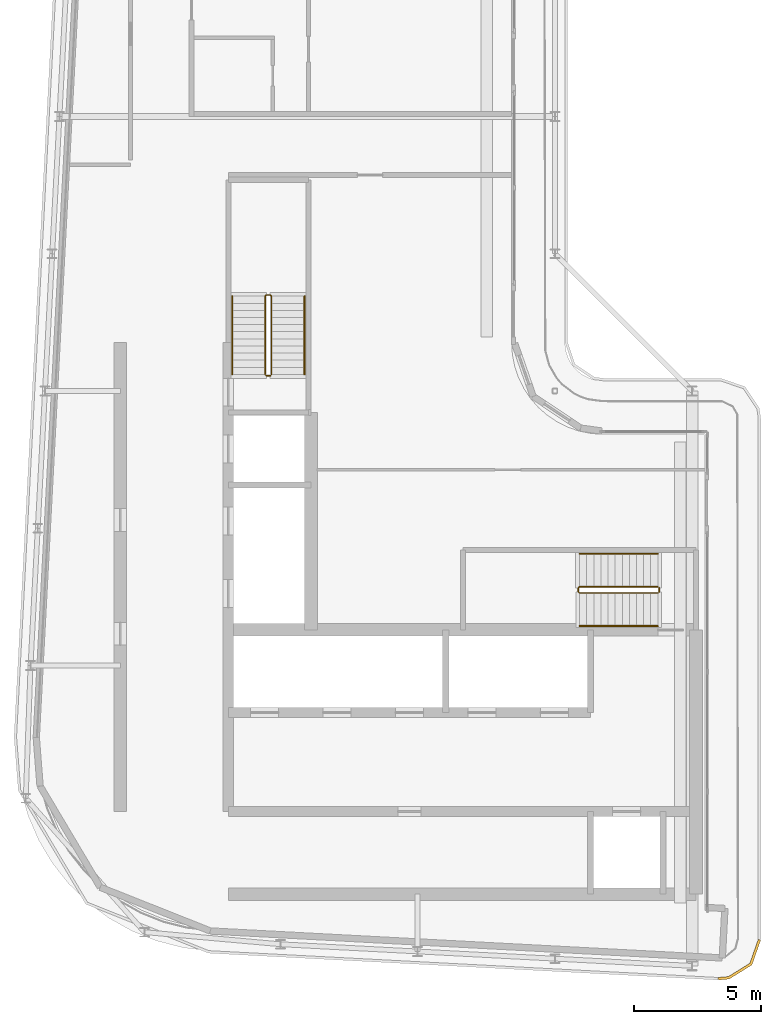
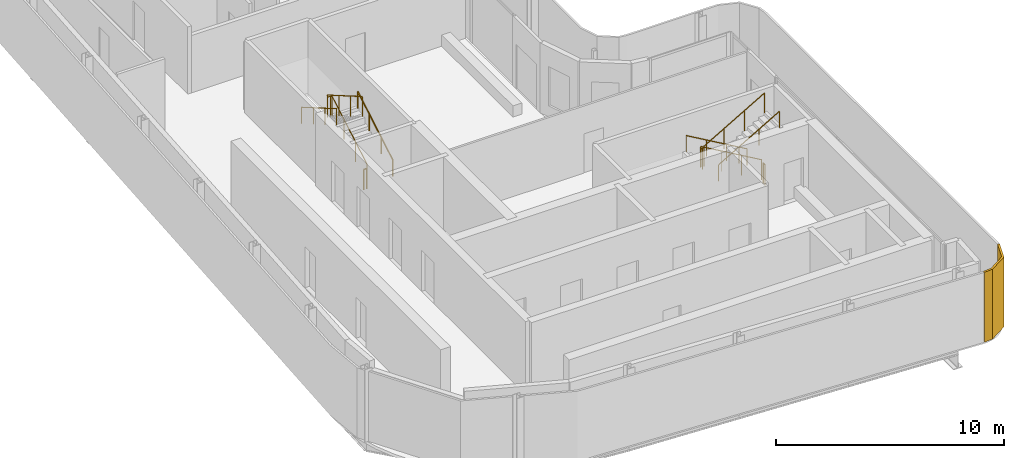
# One storey, part 13 of 17: 8 railings, 1 shading device.
"""IFC4 building model written with IfcOpenShell, lengths in metres."""

from ifc_helpers import new_model, si_unit, direction, frame, origin, origin_2d, place, context, subcontext, project, spatial, polyline, circle, outline, extrude, material, layer, layer_set, type_object, element, save


model = new_model("IFC4")

# Units and contexts
model_context = context("Model", 3, precision=1e-05, world=origin(), true_north=direction((0.0, 1.0)))
body_context = subcontext(model_context, "Body", "Model", "MODEL_VIEW")
ifc_project = project(units=[si_unit("LENGTHUNIT", "METRE"), si_unit("AREAUNIT", "SQUARE_METRE"), si_unit("VOLUMEUNIT", "CUBIC_METRE"), si_unit("PLANEANGLEUNIT", "RADIAN"), si_unit("MASSUNIT", "GRAM", prefix="KILO")], contexts=[model_context])

# Site, building, storey
site_placement = place(None, origin())
site = spatial("IfcSite", under=ifc_project, at=site_placement, CompositionType="ELEMENT")
building_placement = place(site_placement, origin())
building = spatial("IfcBuilding", under=site, at=building_placement, Name="Kheshtan School and Residences Tower", CompositionType="ELEMENT")
storey_placement = place(building_placement, frame((0.0, 0.0, 342.199951171875)))
storey = spatial("IfcBuildingStorey", under=building, at=storey_placement, Name="L80", CompositionType="ELEMENT", Elevation=342.199951171875)

# Shading device
ifc_material_1 = material(Name="Terracotta lattice, extruded ceramic", Category="masonry")
ifc_layer = layer(ifc_material_1, 0.10009765625)
ifc_layer_set = layer_set([ifc_layer], Name="Loggia screen, terracotta lattice")
shading_device_type = type_object("IfcShadingDeviceType", Name="Loggia screen, terracotta lattice", PredefinedType="USERDEFINED", material=ifc_layer_set)
shading_device_placement = place(storey_placement, origin())
element("IfcShadingDevice", 1, at=shading_device_placement, inside=storey, type_object=shading_device_type, Name="Corner screen L80 2", ObjectType="SCREEN", PredefinedType="USERDEFINED", context=body_context, shape_type="SweptSolid", body=[
    extrude(outline(polyline([(55.60009765625, 24.02294921875), (55.27001953125, 23.083984375), (54.424072265625, 22.55908203125), (54.02099609375, 22.52490234375), (54.029052734375, 22.425048828125), (54.4560546875, 22.4609375), (55.35302734375, 23.01806640625), (55.694091796875, 23.989990234375), (55.60009765625, 24.02294921875)])), origin(), (0.0, 0.0, 1.0), 3.75),
])

# Railings
ifc_material_2 = material(Name="Stainless steel balustrade", Category="steel")
railing_type_1 = type_object("IfcRailingType", Name="Stair guard 1100", PredefinedType="GUARDRAIL", material=ifc_material_2)
railing_1_placement = place(storey_placement, frame((51.64990234375, 37.89990234375, 0.16259765625)))
element("IfcRailing", 2, at=railing_1_placement, inside=storey, type_object=railing_type_1, Name="L80 ST1 stair guard 1", PredefinedType="GUARDRAIL", context=body_context, shape_type="SweptSolid", body=[
    extrude(circle(Radius=0.02392578125, at=origin_2d()), frame((0.0, 0.0, 1.076171875), z_axis=(-0.864903211148, 0.0, 0.501938676878), x_axis=(0.0, -1.0, 0.0)), (0.0, 0.0, 1.0), 3.560791015625),
    extrude(circle(Radius=0.02392578125, at=origin_2d()), frame((-3.079833984375, 0.0, 2.86328125), z_axis=(-0.708833529934, -0.705375805398, 0.0), x_axis=(0.705375805398, -0.708833529934, 0.0)), (0.0, 0.0, 1.0), 0.070556640625),
    extrude(circle(Radius=0.02392578125, at=origin_2d()), frame((-3.1298828125, -0.0498046875, 2.86328125), z_axis=(0.0, -1.0, 0.0), x_axis=(1.0, 0.0, 0.0)), (0.0, 0.0, 1.0), 0.150146484375),
    extrude(circle(Radius=0.02392578125, at=origin_2d()), frame((-3.1298828125, -0.199951171875, 2.86328125), z_axis=(0.282227285176, -0.282227285176, 0.916894497205), x_axis=(0.707106781187, 0.707106781187, 0.0)), (0.0, 0.0, 1.0), 0.17724609375),
    extrude(circle(Radius=0.02392578125, at=origin_2d()), frame((-3.079833984375, -0.25, 3.02587890625), z_axis=(0.864873446163, 0.0, 0.501989962173), x_axis=(0.0, 1.0, 0.0)), (0.0, 0.0, 1.0), 3.56103515625),
    extrude(circle(Radius=0.02099609375, at=origin_2d()), origin(), (0.0, 0.0, 1.0), 1.052001953125),
    extrude(circle(Radius=0.02099609375, at=origin_2d()), frame((-1.026611328125, 0.0, 0.595703125)), (0.0, 0.0, 1.0), 1.052001953125),
    extrude(circle(Radius=0.02099609375, at=origin_2d()), frame((-2.05322265625, 0.0, 1.191650390625)), (0.0, 0.0, 1.0), 1.052001953125),
    extrude(circle(Radius=0.02099609375, at=origin_2d()), frame((-3.079833984375, 0.0, 1.787353515625)), (0.0, 0.0, 1.0), 1.052001953125),
    extrude(circle(Radius=0.02099609375, at=origin_2d()), frame((-3.1298828125, -0.0498046875, 1.787353515625)), (0.0, 0.0, 1.0), 1.052001953125),
    extrude(circle(Radius=0.02099609375, at=origin_2d()), frame((-3.1298828125, -0.199951171875, 1.787353515625)), (0.0, 0.0, 1.0), 1.052001953125),
    extrude(circle(Radius=0.02099609375, at=origin_2d()), frame((-3.079833984375, -0.25, 1.949951171875)), (0.0, 0.0, 1.0), 1.052001953125),
    extrude(circle(Radius=0.02099609375, at=origin_2d()), frame((-2.05322265625, -0.25, 2.5458984375)), (0.0, 0.0, 1.0), 1.052001953125),
    extrude(circle(Radius=0.02099609375, at=origin_2d()), frame((-1.026611328125, -0.25, 3.1416015625)), (0.0, 0.0, 1.0), 1.052001953125),
    extrude(circle(Radius=0.02099609375, at=origin_2d()), frame((0.0, -0.25, 3.737548828125)), (0.0, 0.0, 1.0), 1.052001953125),
])
railing_2_placement = place(storey_placement, frame((51.699951171875, 37.85009765625, 0.0)))
element("IfcRailing", 3, at=railing_2_placement, inside=storey, type_object=railing_type_1, Name="L80 ST1 stair guard 2", PredefinedType="GUARDRAIL", context=body_context, shape_type="SweptSolid", body=[
    extrude(circle(Radius=0.02392578125, at=origin_2d()), frame((0.0, 0.0, 1.076171875), z_axis=(0.0, -1.0, 0.0), x_axis=(1.0, 0.0, 0.0)), (0.0, 0.0, 1.0), 0.150146484375),
    extrude(circle(Radius=0.02099609375, at=origin_2d()), origin(), (0.0, 0.0, 1.0), 1.052001953125),
    extrude(circle(Radius=0.02099609375, at=origin_2d()), frame((0.0, -0.150146484375, 0.0)), (0.0, 0.0, 1.0), 1.052001953125),
])
railing_3_placement = place(storey_placement, frame((36.449951171875, 46.25, 0.16259765625)))
element("IfcRailing", 4, at=railing_3_placement, inside=storey, type_object=railing_type_1, Name="L80 ST2 stair guard 1", PredefinedType="GUARDRAIL", context=body_context, shape_type="SweptSolid", body=[
    extrude(circle(Radius=0.02392578125, at=origin_2d()), frame((0.0, 0.0, 1.076171875), z_axis=(0.0, 0.864920483161, 0.501908913857), x_axis=(-1.0, 0.0, 0.0)), (0.0, 0.0, 1.0), 3.56103515625),
    extrude(circle(Radius=0.02392578125, at=origin_2d()), frame((0.0, 3.080078125, 2.86328125), z_axis=(-0.708833529934, 0.705375805398, 0.0), x_axis=(-0.705375805398, -0.708833529934, 0.0)), (0.0, 0.0, 1.0), 0.070556640625),
    extrude(circle(Radius=0.02392578125, at=origin_2d()), frame((-0.050048828125, 3.1298828125, 2.86328125), z_axis=(-1.0, 0.0, 0.0), x_axis=(0.0, -1.0, 0.0)), (0.0, 0.0, 1.0), 0.14990234375),
    extrude(circle(Radius=0.02392578125, at=origin_2d()), frame((-0.199951171875, 3.1298828125, 2.86328125), z_axis=(-0.282336740067, -0.280959487676, 0.917250092119), x_axis=(0.705375805398, -0.708833529934, 0.0)), (0.0, 0.0, 1.0), 0.17724609375),
    extrude(circle(Radius=0.02392578125, at=origin_2d()), frame((-0.25, 3.080078125, 3.02587890625), z_axis=(0.0, -0.864890721111, 0.501960198159), x_axis=(1.0, 0.0, 0.0)), (0.0, 0.0, 1.0), 3.561279296875),
    extrude(circle(Radius=0.02099609375, at=origin_2d()), origin(), (0.0, 0.0, 1.0), 1.052001953125),
    extrude(circle(Radius=0.02099609375, at=origin_2d()), frame((0.0, 1.026611328125, 0.595703125)), (0.0, 0.0, 1.0), 1.052001953125),
    extrude(circle(Radius=0.02099609375, at=origin_2d()), frame((0.0, 2.053466796875, 1.191650390625)), (0.0, 0.0, 1.0), 1.052001953125),
    extrude(circle(Radius=0.02099609375, at=origin_2d()), frame((0.0, 3.080078125, 1.787353515625)), (0.0, 0.0, 1.0), 1.052001953125),
    extrude(circle(Radius=0.02099609375, at=origin_2d()), frame((-0.050048828125, 3.1298828125, 1.787353515625)), (0.0, 0.0, 1.0), 1.052001953125),
    extrude(circle(Radius=0.02099609375, at=origin_2d()), frame((-0.199951171875, 3.1298828125, 1.787353515625)), (0.0, 0.0, 1.0), 1.052001953125),
    extrude(circle(Radius=0.02099609375, at=origin_2d()), frame((-0.25, 3.080078125, 1.949951171875)), (0.0, 0.0, 1.0), 1.052001953125),
    extrude(circle(Radius=0.02099609375, at=origin_2d()), frame((-0.25, 2.053466796875, 2.5458984375)), (0.0, 0.0, 1.0), 1.052001953125),
    extrude(circle(Radius=0.02099609375, at=origin_2d()), frame((-0.25, 1.026611328125, 3.1416015625)), (0.0, 0.0, 1.0), 1.052001953125),
    extrude(circle(Radius=0.02099609375, at=origin_2d()), frame((-0.25, 0.0, 3.737548828125)), (0.0, 0.0, 1.0), 1.052001953125),
])
railing_4_placement = place(storey_placement, frame((36.39990234375, 46.199951171875, 0.0)))
element("IfcRailing", 5, at=railing_4_placement, inside=storey, type_object=railing_type_1, Name="L80 ST2 stair guard 2", PredefinedType="GUARDRAIL", context=body_context, shape_type="SweptSolid", body=[
    extrude(circle(Radius=0.02392578125, at=origin_2d()), frame((0.0, 0.0, 1.076171875), z_axis=(-1.0, 0.0, 0.0), x_axis=(0.0, -1.0, 0.0)), (0.0, 0.0, 1.0), 0.14990234375),
    extrude(circle(Radius=0.02099609375, at=origin_2d()), origin(), (0.0, 0.0, 1.0), 1.052001953125),
    extrude(circle(Radius=0.02099609375, at=origin_2d()), frame((-0.14990234375, 0.0, 0.0)), (0.0, 0.0, 1.0), 1.052001953125),
])
ifc_material_3 = material(Name="Stainless steel handrail", Category="steel")
railing_type_2 = type_object("IfcRailingType", Name="Stair handrail 900", PredefinedType="HANDRAIL", material=ifc_material_3)
railing_5_placement = place(storey_placement, frame((51.64990234375, 39.199951171875, 0.16259765625)))
element("IfcRailing", 6, at=railing_5_placement, inside=storey, type_object=railing_type_2, Name="L80 ST1 stair handrail 1", PredefinedType="HANDRAIL", context=body_context, shape_type="SweptSolid", body=[
    extrude(circle(Radius=0.02392578125, at=origin_2d()), frame((0.0, 0.0, 0.8759765625), z_axis=(-0.864903211148, 0.0, 0.501938676878), x_axis=(0.0, -1.0, 0.0)), (0.0, 0.0, 1.0), 3.560791015625),
    extrude(circle(Radius=0.02099609375, at=origin_2d()), origin(), (0.0, 0.0, 1.0), 0.851806640625),
    extrude(circle(Radius=0.02099609375, at=origin_2d()), frame((-1.026611328125, 0.0, 0.595703125)), (0.0, 0.0, 1.0), 0.851806640625),
    extrude(circle(Radius=0.02099609375, at=origin_2d()), frame((-2.05322265625, 0.0, 1.191650390625)), (0.0, 0.0, 1.0), 0.851806640625),
    extrude(circle(Radius=0.02099609375, at=origin_2d()), frame((-3.079833984375, 0.0, 1.787353515625)), (0.0, 0.0, 1.0), 0.851806640625),
])
railing_6_placement = place(storey_placement, frame((48.570068359375, 36.35009765625, 2.112548828125)))
element("IfcRailing", 7, at=railing_6_placement, inside=storey, type_object=railing_type_2, Name="L80 ST1 stair handrail 2", PredefinedType="HANDRAIL", context=body_context, shape_type="SweptSolid", body=[
    extrude(circle(Radius=0.02392578125, at=origin_2d()), frame((0.0, 0.0, 0.8759765625), z_axis=(0.864873446163, 0.0, 0.501989962173), x_axis=(0.0, 1.0, 0.0)), (0.0, 0.0, 1.0), 3.56103515625),
    extrude(circle(Radius=0.02099609375, at=origin_2d()), origin(), (0.0, 0.0, 1.0), 0.851806640625),
    extrude(circle(Radius=0.02099609375, at=origin_2d()), frame((1.026611328125, 0.0, 0.595947265625)), (0.0, 0.0, 1.0), 0.851806640625),
    extrude(circle(Radius=0.02099609375, at=origin_2d()), frame((2.05322265625, 0.0, 1.191650390625)), (0.0, 0.0, 1.0), 0.851806640625),
    extrude(circle(Radius=0.02099609375, at=origin_2d()), frame((3.079833984375, 0.0, 1.78759765625)), (0.0, 0.0, 1.0), 0.851806640625),
])
railing_7_placement = place(storey_placement, frame((37.75, 46.25, 0.16259765625)))
element("IfcRailing", 8, at=railing_7_placement, inside=storey, type_object=railing_type_2, Name="L80 ST2 stair handrail 1", PredefinedType="HANDRAIL", context=body_context, shape_type="SweptSolid", body=[
    extrude(circle(Radius=0.02392578125, at=origin_2d()), frame((0.0, 0.0, 0.8759765625), z_axis=(0.0, 0.864920483161, 0.501908913857), x_axis=(-1.0, 0.0, 0.0)), (0.0, 0.0, 1.0), 3.56103515625),
    extrude(circle(Radius=0.02099609375, at=origin_2d()), origin(), (0.0, 0.0, 1.0), 0.851806640625),
    extrude(circle(Radius=0.02099609375, at=origin_2d()), frame((0.0, 1.026611328125, 0.595703125)), (0.0, 0.0, 1.0), 0.851806640625),
    extrude(circle(Radius=0.02099609375, at=origin_2d()), frame((0.0, 2.053466796875, 1.191650390625)), (0.0, 0.0, 1.0), 0.851806640625),
    extrude(circle(Radius=0.02099609375, at=origin_2d()), frame((0.0, 3.080078125, 1.787353515625)), (0.0, 0.0, 1.0), 0.851806640625),
])
railing_8_placement = place(storey_placement, frame((34.89990234375, 49.330078125, 2.112548828125)))
element("IfcRailing", 9, at=railing_8_placement, inside=storey, type_object=railing_type_2, Name="L80 ST2 stair handrail 2", PredefinedType="HANDRAIL", context=body_context, shape_type="SweptSolid", body=[
    extrude(circle(Radius=0.02392578125, at=origin_2d()), frame((0.0, 0.0, 0.8759765625), z_axis=(0.0, -0.864890721111, 0.501960198159), x_axis=(1.0, 0.0, 0.0)), (0.0, 0.0, 1.0), 3.561279296875),
    extrude(circle(Radius=0.02099609375, at=origin_2d()), origin(), (0.0, 0.0, 1.0), 0.851806640625),
    extrude(circle(Radius=0.02099609375, at=origin_2d()), frame((0.0, -1.026611328125, 0.595947265625)), (0.0, 0.0, 1.0), 0.851806640625),
    extrude(circle(Radius=0.02099609375, at=origin_2d()), frame((0.0, -2.053466796875, 1.191650390625)), (0.0, 0.0, 1.0), 0.851806640625),
    extrude(circle(Radius=0.02099609375, at=origin_2d()), frame((0.0, -3.080078125, 1.78759765625)), (0.0, 0.0, 1.0), 0.851806640625),
])

save(model, "model.ifc")
